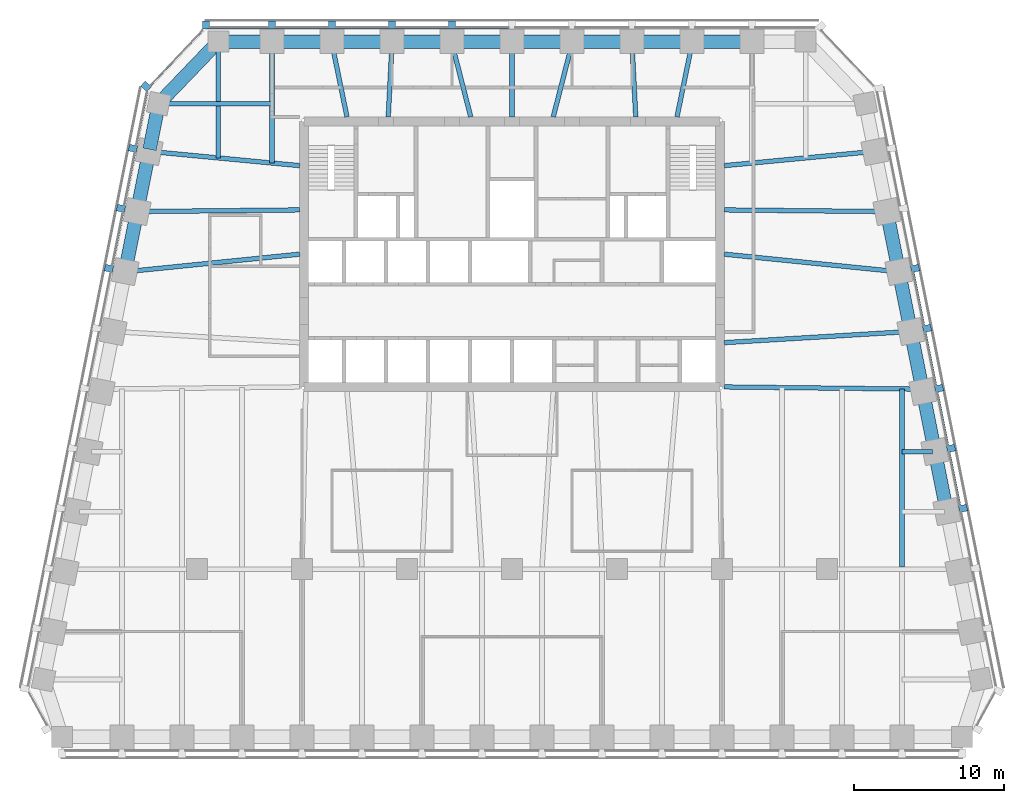
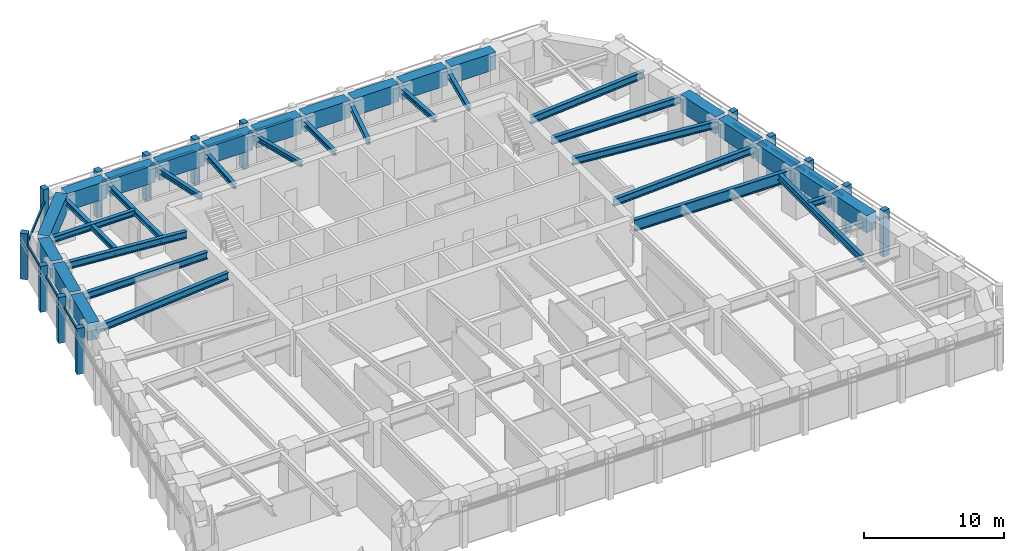
# One storey, part 3 of 10: 38 beams, 27 members, 4 elements without a shape of their own.
"""IFC4 building model written with IfcOpenShell, lengths in metres."""

from ifc_helpers import new_model, si_unit, direction, frame, origin, origin_2d, place, context, subcontext, project, spatial, rectangle, i_section, extrude, material, material_profile, profile_set, type_object, element, aggregate, save


model = new_model("IFC4")

# Units and contexts
model_context = context("Model", 3, precision=1e-05, world=origin(), true_north=direction((0.0, 1.0)))
body_context = subcontext(model_context, "Body", "Model", "MODEL_VIEW")
ifc_project = project(units=[si_unit("LENGTHUNIT", "METRE"), si_unit("AREAUNIT", "SQUARE_METRE"), si_unit("VOLUMEUNIT", "CUBIC_METRE"), si_unit("PLANEANGLEUNIT", "RADIAN"), si_unit("MASSUNIT", "GRAM", prefix="KILO")], contexts=[model_context])

# Site, building, storey
site_placement = place(None, origin())
site = spatial("IfcSite", under=ifc_project, at=site_placement, CompositionType="ELEMENT")
building_placement = place(site_placement, origin())
building = spatial("IfcBuilding", under=site, at=building_placement, Name="Isbrekke Arena Tower", CompositionType="ELEMENT")
storey_placement = place(building_placement, frame((0.0, 0.0, 238.0)))
storey = spatial("IfcBuildingStorey", under=building, at=storey_placement, Name="L55", CompositionType="ELEMENT", Elevation=238.0)

# Beams
ifc_material_1 = material(Name="Steel S355", Category="steel")
ifc_material_profile_1 = material_profile(ifc_material_1, i_section(OverallWidth=0.304931640625, OverallDepth=0.6201171875, WebThickness=0.02099609375, FlangeThickness=0.0400390625, FilletRadius=0.027099609375, at=origin_2d()), Name="HEM 600")
ifc_profile_set_1 = profile_set([ifc_material_profile_1], Name="Steel S355")
beam_type_1 = type_object("IfcBeamType", Name="B4 HEM 600", PredefinedType="BEAM", material=ifc_profile_set_1)
beam_1_placement = place(storey_placement, frame((26.0, -5.84912109375, 3.43994140625), z_axis=(0.0, 1.0, 0.0), x_axis=(-1.0, 0.0, 0.0)))
element("IfcBeam", 1, at=beam_1_placement, inside=storey, type_object=beam_type_1, Name="B4 beam C-M14 L55", PredefinedType="BEAM", context=body_context, shape_type="SweptSolid", body=[
    extrude(i_section(OverallWidth=0.304931640625, OverallDepth=0.6201171875, WebThickness=0.02099609375, FlangeThickness=0.0400390625, FilletRadius=0.027099609375, at=origin_2d()), origin(), (0.0, 0.0, 1.0), 11.864990234375),
])
beam_2_placement = place(storey_placement, frame((26.431884765625, 9.837646484375, 3.43994140625), z_axis=(-0.998201783607, -0.059943299904, 0.0), x_axis=(0.059943299904, -0.998201783607, 0.0)))
element("IfcBeam", 2, at=beam_2_placement, inside=storey, type_object=beam_type_1, Name="B4 beam E-E07 L55", PredefinedType="BEAM", context=body_context, shape_type="SweptSolid", body=[
    extrude(i_section(OverallWidth=0.304931640625, OverallDepth=0.6201171875, WebThickness=0.02099609375, FlangeThickness=0.0400390625, FilletRadius=0.027099609375, at=origin_2d()), origin(), (0.0, 0.0, 1.0), 12.30419921875),
])
beam_3_placement = place(storey_placement, frame((25.625732421875, 13.83984375, 3.43994140625), z_axis=(-0.994928676978, 0.100582939538, 0.0), x_axis=(-0.100582939538, -0.994928676978, 0.0)))
element("IfcBeam", 3, at=beam_3_placement, inside=storey, type_object=beam_type_1, Name="B4 beam E-E08 L55", PredefinedType="BEAM", context=body_context, shape_type="SweptSolid", body=[
    extrude(i_section(OverallWidth=0.304931640625, OverallDepth=0.6201171875, WebThickness=0.02099609375, FlangeThickness=0.0400390625, FilletRadius=0.027099609375, at=origin_2d()), origin(), (0.0, 0.0, 1.0), 11.534423828125),
])
beam_4_placement = place(storey_placement, frame((24.83935546875, 17.838134765625, 3.43994140625), z_axis=(-0.999945294064, 0.010459869922, 0.0), x_axis=(-0.010459869922, -0.999945294064, 0.0)))
element("IfcBeam", 4, at=beam_4_placement, inside=storey, type_object=beam_type_1, Name="B4 beam E-E09 L55", PredefinedType="BEAM", context=body_context, shape_type="SweptSolid", body=[
    extrude(i_section(OverallWidth=0.304931640625, OverallDepth=0.6201171875, WebThickness=0.02099609375, FlangeThickness=0.0400390625, FilletRadius=0.027099609375, at=origin_2d()), origin(), (0.0, 0.0, 1.0), 10.68994140625),
])
for number, where, z_axis, x_axis, name in (
    (5, (24.026611328125, 21.8369140625, 3.43994140625), (-0.995529913617, -0.094446763279, 0.0), (0.094446763279, -0.995529913617, 0.0), "B4 beam E-E10 L55"),
    (6, (-24.026611328125, 21.8369140625, 3.43994140625), (0.995529913617, -0.094446763279, 0.0), (0.094446763279, 0.995529913617, 0.0), "B4 beam E-W02 L55"),
):
    element("IfcBeam", number, at=place(storey_placement, frame(where, z_axis=z_axis, x_axis=x_axis)), inside=storey, type_object=beam_type_1, Name=name, PredefinedType="BEAM", context=body_context, shape_type="SweptSolid", body=[
        extrude(i_section(OverallWidth=0.304931640625, OverallDepth=0.6201171875, WebThickness=0.02099609375, FlangeThickness=0.0400390625, FilletRadius=0.027099609375, at=origin_2d()), origin(), (0.0, 0.0, 1.0), 9.921142578125),
    ])
beam_5_placement = place(storey_placement, frame((-24.83935546875, 17.838134765625, 3.43994140625), z_axis=(0.999945294064, 0.010459869922, 0.0), x_axis=(-0.010459869922, 0.999945294064, 0.0)))
element("IfcBeam", 7, at=beam_5_placement, inside=storey, type_object=beam_type_1, Name="B4 beam E-W03 L55", PredefinedType="BEAM", context=body_context, shape_type="SweptSolid", body=[
    extrude(i_section(OverallWidth=0.304931640625, OverallDepth=0.6201171875, WebThickness=0.02099609375, FlangeThickness=0.0400390625, FilletRadius=0.027099609375, at=origin_2d()), origin(), (0.0, 0.0, 1.0), 10.68994140625),
])
beam_6_placement = place(storey_placement, frame((-25.625732421875, 13.83984375, 3.43994140625), z_axis=(0.994928676978, 0.100582939538, 0.0), x_axis=(-0.100582939538, 0.994928676978, 0.0)))
element("IfcBeam", 8, at=beam_6_placement, inside=storey, type_object=beam_type_1, Name="B4 beam E-W04 L55", PredefinedType="BEAM", context=body_context, shape_type="SweptSolid", body=[
    extrude(i_section(OverallWidth=0.304931640625, OverallDepth=0.6201171875, WebThickness=0.02099609375, FlangeThickness=0.0400390625, FilletRadius=0.027099609375, at=origin_2d()), origin(), (0.0, 0.0, 1.0), 11.534423828125),
])
ifc_material_2 = material(Name="Steel S355", Category="steel")
ifc_material_profile_2 = material_profile(ifc_material_2, i_section(OverallWidth=0.305908203125, OverallDepth=0.52392578125, WebThickness=0.02099609375, FlangeThickness=0.0400390625, FilletRadius=0.027099609375, at=origin_2d()), Name="HEM 500")
ifc_profile_set_2 = profile_set([ifc_material_profile_2], Name="Steel S355")
beam_type_2 = type_object("IfcBeamType", Name="B5 HEM 500", PredefinedType="BEAM", material=ifc_profile_set_2)
beam_7_placement = place(storey_placement, frame((28.041015625, 1.838134765625, 3.488037109375), z_axis=(-1.0, 0.0, 0.0), x_axis=(0.0, -1.0, 0.0)))
element("IfcBeam", 9, at=beam_7_placement, inside=storey, type_object=beam_type_2, Name="B5 beam E-E05 L55", PredefinedType="BEAM", context=body_context, shape_type="SweptSolid", body=[
    extrude(i_section(OverallWidth=0.305908203125, OverallDepth=0.52392578125, WebThickness=0.02099609375, FlangeThickness=0.0400390625, FilletRadius=0.027099609375, at=origin_2d()), origin(), (0.0, 0.0, 1.0), 2.041015625),
])
beam_8_placement = place(storey_placement, frame((-23.40283203125, 25.029296875, 3.488037109375), z_axis=(1.0, 0.0, 0.0), x_axis=(0.0, 1.0, 0.0)))
element("IfcBeam", 10, at=beam_8_placement, inside=storey, type_object=beam_type_2, Name="B5 beam E-W01 L55", PredefinedType="BEAM", context=body_context, shape_type="SweptSolid", body=[
    extrude(i_section(OverallWidth=0.305908203125, OverallDepth=0.52392578125, WebThickness=0.02099609375, FlangeThickness=0.0400390625, FilletRadius=0.027099609375, at=origin_2d()), origin(), (0.0, 0.0, 1.0), 7.40283203125),
])
ifc_material_3 = material(Name="Steel S355", Category="steel")
ifc_material_profile_3 = material_profile(ifc_material_3, i_section(OverallWidth=0.306884765625, OverallDepth=0.431884765625, WebThickness=0.02099609375, FlangeThickness=0.0400390625, FilletRadius=0.027099609375, at=origin_2d()), Name="HEM 400")
ifc_profile_set_3 = profile_set([ifc_material_profile_3], Name="Steel S355")
beam_type_3 = type_object("IfcBeamType", Name="B6 HEM 400", PredefinedType="BEAM", material=ifc_profile_set_3)
beam_9_placement = place(storey_placement, frame((-16.0, 29.02490234375, 3.533935546875), z_axis=(0.0, -1.0, 0.0), x_axis=(1.0, 0.0, 0.0)))
element("IfcBeam", 11, at=beam_9_placement, inside=storey, type_object=beam_type_3, Name="B6 beam N-N10 L55", PredefinedType="BEAM", context=body_context, shape_type="SweptSolid", body=[
    extrude(i_section(OverallWidth=0.306884765625, OverallDepth=0.431884765625, WebThickness=0.02099609375, FlangeThickness=0.0400390625, FilletRadius=0.027099609375, at=origin_2d()), origin(), (0.0, 0.0, 1.0), 7.949462890625),
])
beam_10_placement = place(storey_placement, frame((-19.574951171875, 29.02490234375, 3.533935546875), z_axis=(0.0, -1.0, 0.0), x_axis=(1.0, 0.0, 0.0)))
element("IfcBeam", 12, at=beam_10_placement, inside=storey, type_object=beam_type_3, Name="B6 beam N-N11 L55", PredefinedType="BEAM", context=body_context, shape_type="SweptSolid", body=[
    extrude(i_section(OverallWidth=0.306884765625, OverallDepth=0.431884765625, WebThickness=0.02099609375, FlangeThickness=0.0400390625, FilletRadius=0.027099609375, at=origin_2d()), origin(), (0.0, 0.0, 1.0), 7.6103515625),
])
beam_11_placement = place(storey_placement, frame((11.993896484375, 28.994873046875, 3.533935546875), z_axis=(-0.200955075107, -0.979600458242, 0.0), x_axis=(0.979600458242, -0.200955075107, 0.0)))
element("IfcBeam", 13, at=beam_11_placement, inside=storey, type_object=beam_type_3, Name="B6 beam N-N03 L55", PredefinedType="BEAM", context=body_context, shape_type="SweptSolid", body=[
    extrude(i_section(OverallWidth=0.306884765625, OverallDepth=0.431884765625, WebThickness=0.02099609375, FlangeThickness=0.0400390625, FilletRadius=0.027099609375, at=origin_2d()), origin(), (0.0, 0.0, 1.0), 4.94580078125),
])
beam_12_placement = place(storey_placement, frame((8.00048828125, 29.01708984375, 3.533935546875), z_axis=(0.051196816408, -0.998688583088, 0.0), x_axis=(0.998688583088, 0.051196816408, 0.0)))
element("IfcBeam", 14, at=beam_12_placement, inside=storey, type_object=beam_type_3, Name="B6 beam N-N04 L55", PredefinedType="BEAM", context=body_context, shape_type="SweptSolid", body=[
    extrude(i_section(OverallWidth=0.306884765625, OverallDepth=0.431884765625, WebThickness=0.02099609375, FlangeThickness=0.0400390625, FilletRadius=0.027099609375, at=origin_2d()), origin(), (0.0, 0.0, 1.0), 4.87353515625),
])
beam_13_placement = place(storey_placement, frame((3.990478515625, 28.988037109375, 3.533935546875), z_axis=(-0.248362413919, -0.968667182964, 0.0), x_axis=(0.968667182964, -0.248362413919, 0.0)))
element("IfcBeam", 15, at=beam_13_placement, inside=storey, type_object=beam_type_3, Name="B6 beam N-N05 L55", PredefinedType="BEAM", context=body_context, shape_type="SweptSolid", body=[
    extrude(i_section(OverallWidth=0.306884765625, OverallDepth=0.431884765625, WebThickness=0.02099609375, FlangeThickness=0.0400390625, FilletRadius=0.027099609375, at=origin_2d()), origin(), (0.0, 0.0, 1.0), 4.99462890625),
])
beam_14_placement = place(storey_placement, frame((0.0, 29.02490234375, 3.533935546875), z_axis=(0.0, -1.0, 0.0), x_axis=(1.0, 0.0, 0.0)))
element("IfcBeam", 16, at=beam_14_placement, inside=storey, type_object=beam_type_3, Name="B6 beam N-N06 L55", PredefinedType="BEAM", context=body_context, shape_type="SweptSolid", body=[
    extrude(i_section(OverallWidth=0.306884765625, OverallDepth=0.431884765625, WebThickness=0.02099609375, FlangeThickness=0.0400390625, FilletRadius=0.027099609375, at=origin_2d()), origin(), (0.0, 0.0, 1.0), 4.875),
])
beam_15_placement = place(storey_placement, frame((-3.990478515625, 28.988037109375, 3.533935546875), z_axis=(0.248362413919, -0.968667182964, 0.0), x_axis=(0.968667182964, 0.248362413919, 0.0)))
element("IfcBeam", 17, at=beam_15_placement, inside=storey, type_object=beam_type_3, Name="B6 beam N-N07 L55", PredefinedType="BEAM", context=body_context, shape_type="SweptSolid", body=[
    extrude(i_section(OverallWidth=0.306884765625, OverallDepth=0.431884765625, WebThickness=0.02099609375, FlangeThickness=0.0400390625, FilletRadius=0.027099609375, at=origin_2d()), origin(), (0.0, 0.0, 1.0), 4.99462890625),
])
beam_16_placement = place(storey_placement, frame((-8.00048828125, 29.01708984375, 3.533935546875), z_axis=(-0.051196816408, -0.998688583088, 0.0), x_axis=(0.998688583088, -0.051196816408, 0.0)))
element("IfcBeam", 18, at=beam_16_placement, inside=storey, type_object=beam_type_3, Name="B6 beam N-N08 L55", PredefinedType="BEAM", context=body_context, shape_type="SweptSolid", body=[
    extrude(i_section(OverallWidth=0.306884765625, OverallDepth=0.431884765625, WebThickness=0.02099609375, FlangeThickness=0.0400390625, FilletRadius=0.027099609375, at=origin_2d()), origin(), (0.0, 0.0, 1.0), 4.87353515625),
])
beam_17_placement = place(storey_placement, frame((-11.993896484375, 28.994873046875, 3.533935546875), z_axis=(0.200955075107, -0.979600458242, 0.0), x_axis=(0.979600458242, 0.200955075107, 0.0)))
element("IfcBeam", 19, at=beam_17_placement, inside=storey, type_object=beam_type_3, Name="B6 beam N-N09 L55", PredefinedType="BEAM", context=body_context, shape_type="SweptSolid", body=[
    extrude(i_section(OverallWidth=0.306884765625, OverallDepth=0.431884765625, WebThickness=0.02099609375, FlangeThickness=0.0400390625, FilletRadius=0.027099609375, at=origin_2d()), origin(), (0.0, 0.0, 1.0), 4.94580078125),
])

# Curtain wall, members
ifc_material_4 = material(Name="Glazed aluminium curtain wall", Category="aluminium")
curtain_wall_type = type_object("IfcCurtainWallType", Name="CWH TOWER CURTAIN WALL HIGH ZONE", PredefinedType="USERDEFINED", material=ifc_material_4)
curtain_wall_1_placement = place(storey_placement, origin())
curtain_wall_1 = element("IfcCurtainWall", 20, at=curtain_wall_1_placement, inside=storey, type_object=curtain_wall_type, Name="CWH curtain wall L55-E", ObjectType="TOWER CURTAIN WALL HIGH ZONE", PredefinedType="USERDEFINED")
ifc_material_5 = material(Name="Aluminium mullion, pale brick slip cladding", Category="masonry")
ifc_material_profile_4 = material_profile(ifc_material_5, rectangle(XDim=0.449951171875, YDim=0.550048828125, at=origin_2d()), Name="PIER 450X550")
ifc_profile_set_4 = profile_set([ifc_material_profile_4], Name="Aluminium mullion, pale brick slip cladding")
member_type_1 = type_object("IfcMemberType", Name="CWH-M PIER MULLION 450 x 550", PredefinedType="MULLION", material=ifc_profile_set_4)
member_1_placement = place(storey_placement, frame((30.069580078125, -1.946044921875, 0.0), z_axis=(0.0, 0.0, 1.0), x_axis=(-0.196116135138, 0.980580675691, 0.0)))
member_1 = element("IfcMember", 21, at=member_1_placement, type_object=member_type_1, Name="CWH-M mullion 3", PredefinedType="MULLION", context=body_context, shape_type="SweptSolid", body=[
    extrude(rectangle(XDim=0.449951171875, YDim=0.550048828125, at=origin_2d()), origin(), (0.0, 0.0, 1.0), 4.0),
])
member_2_placement = place(storey_placement, frame((29.269775390625, 2.053955078125, 0.0), z_axis=(0.0, 0.0, 1.0), x_axis=(-0.196116135138, 0.980580675691, 0.0)))
member_2 = element("IfcMember", 22, at=member_2_placement, type_object=member_type_1, Name="CWH-M mullion 4", PredefinedType="MULLION", context=body_context, shape_type="SweptSolid", body=[
    extrude(rectangle(XDim=0.449951171875, YDim=0.550048828125, at=origin_2d()), origin(), (0.0, 0.0, 1.0), 4.0),
])
member_3_placement = place(storey_placement, frame((28.4697265625, 6.053955078125, 0.0), z_axis=(0.0, 0.0, 1.0), x_axis=(-0.196116135138, 0.980580675691, 0.0)))
member_3 = element("IfcMember", 23, at=member_3_placement, type_object=member_type_1, Name="CWH-M mullion 5", PredefinedType="MULLION", context=body_context, shape_type="SweptSolid", body=[
    extrude(rectangle(XDim=0.449951171875, YDim=0.550048828125, at=origin_2d()), origin(), (0.0, 0.0, 1.0), 4.0),
])
member_4_placement = place(storey_placement, frame((27.669677734375, 10.053955078125, 0.0), z_axis=(0.0, 0.0, 1.0), x_axis=(-0.196116135138, 0.980580675691, 0.0)))
member_4 = element("IfcMember", 24, at=member_4_placement, type_object=member_type_1, Name="CWH-M mullion 6", PredefinedType="MULLION", context=body_context, shape_type="SweptSolid", body=[
    extrude(rectangle(XDim=0.449951171875, YDim=0.550048828125, at=origin_2d()), origin(), (0.0, 0.0, 1.0), 4.0),
])
member_5_placement = place(storey_placement, frame((26.86962890625, 14.053955078125, 0.0), z_axis=(0.0, 0.0, 1.0), x_axis=(-0.196116135138, 0.980580675691, 0.0)))
member_5 = element("IfcMember", 25, at=member_5_placement, type_object=member_type_1, Name="CWH-M mullion 7", PredefinedType="MULLION", context=body_context, shape_type="SweptSolid", body=[
    extrude(rectangle(XDim=0.449951171875, YDim=0.550048828125, at=origin_2d()), origin(), (0.0, 0.0, 1.0), 4.0),
])

curtain_wall_2_placement = place(storey_placement, origin())
curtain_wall_2 = element("IfcCurtainWall", 26, at=curtain_wall_2_placement, inside=storey, type_object=curtain_wall_type, Name="CWH curtain wall L55-N", ObjectType="TOWER CURTAIN WALL HIGH ZONE", PredefinedType="USERDEFINED")
member_6_placement = place(storey_placement, frame((-4.0, 30.27490234375, 0.0), z_axis=(0.0, 0.0, 1.0), x_axis=(-1.0, 0.0, 0.0)))
member_6 = element("IfcMember", 27, at=member_6_placement, type_object=member_type_1, Name="CWH-M mullion 6", PredefinedType="MULLION", context=body_context, shape_type="SweptSolid", body=[
    extrude(rectangle(XDim=0.449951171875, YDim=0.550048828125, at=origin_2d()), origin(), (0.0, 0.0, 1.0), 4.0),
])
member_7_placement = place(storey_placement, frame((-8.0, 30.27490234375, 0.0), z_axis=(0.0, 0.0, 1.0), x_axis=(-1.0, 0.0, 0.0)))
member_7 = element("IfcMember", 28, at=member_7_placement, type_object=member_type_1, Name="CWH-M mullion 7", PredefinedType="MULLION", context=body_context, shape_type="SweptSolid", body=[
    extrude(rectangle(XDim=0.449951171875, YDim=0.550048828125, at=origin_2d()), origin(), (0.0, 0.0, 1.0), 4.0),
])
member_8_placement = place(storey_placement, frame((-12.0, 30.27490234375, 0.0), z_axis=(0.0, 0.0, 1.0), x_axis=(-1.0, 0.0, 0.0)))
member_8 = element("IfcMember", 29, at=member_8_placement, type_object=member_type_1, Name="CWH-M mullion 8", PredefinedType="MULLION", context=body_context, shape_type="SweptSolid", body=[
    extrude(rectangle(XDim=0.449951171875, YDim=0.550048828125, at=origin_2d()), origin(), (0.0, 0.0, 1.0), 4.0),
])
member_9_placement = place(storey_placement, frame((-16.0, 30.27490234375, 0.0), z_axis=(0.0, 0.0, 1.0), x_axis=(-1.0, 0.0, 0.0)))
member_9 = element("IfcMember", 30, at=member_9_placement, type_object=member_type_1, Name="CWH-M mullion 9", PredefinedType="MULLION", context=body_context, shape_type="SweptSolid", body=[
    extrude(rectangle(XDim=0.449951171875, YDim=0.550048828125, at=origin_2d()), origin(), (0.0, 0.0, 1.0), 4.0),
])
member_10_placement = place(storey_placement, frame((-20.39990234375, 30.27490234375, 0.0), z_axis=(0.0, 0.0, 1.0), x_axis=(-1.0, 0.0, 0.0)))
member_10 = element("IfcMember", 31, at=member_10_placement, type_object=member_type_1, Name="CWH-M mullion 10", PredefinedType="MULLION", context=body_context, shape_type="SweptSolid", body=[
    extrude(rectangle(XDim=0.449951171875, YDim=0.550048828125, at=origin_2d()), origin(), (0.0, 0.0, 1.0), 4.0),
])

# Curtain wall, member
curtain_wall_3_placement = place(storey_placement, origin())
curtain_wall_3 = element("IfcCurtainWall", 32, at=curtain_wall_3_placement, inside=storey, type_object=curtain_wall_type, Name="CWH curtain wall L55-NW", ObjectType="TOWER CURTAIN WALL HIGH ZONE", PredefinedType="USERDEFINED")
member_11_placement = place(storey_placement, frame((-24.3994140625, 26.189453125, 0.0), z_axis=(0.0, 0.0, 1.0), x_axis=(-0.68874946192, -0.72499943359, 0.0)))
member_11 = element("IfcMember", 33, at=member_11_placement, type_object=member_type_1, Name="CWH-M mullion 1", PredefinedType="MULLION", context=body_context, shape_type="SweptSolid", body=[
    extrude(rectangle(XDim=0.449951171875, YDim=0.550048828125, at=origin_2d()), origin(), (0.0, 0.0, 1.0), 4.0),
])

# Curtain wall, members
curtain_wall_4_placement = place(storey_placement, origin())
curtain_wall_4 = element("IfcCurtainWall", 34, at=curtain_wall_4_placement, inside=storey, type_object=curtain_wall_type, Name="CWH curtain wall L55-W", ObjectType="TOWER CURTAIN WALL HIGH ZONE", PredefinedType="USERDEFINED")
member_12_placement = place(storey_placement, frame((-25.269775390625, 22.053955078125, 0.0), z_axis=(0.0, 0.0, 1.0), x_axis=(-0.196116135138, -0.980580675691, 0.0)))
member_12 = element("IfcMember", 35, at=member_12_placement, type_object=member_type_1, Name="CWH-M mullion 1", PredefinedType="MULLION", context=body_context, shape_type="SweptSolid", body=[
    extrude(rectangle(XDim=0.449951171875, YDim=0.550048828125, at=origin_2d()), origin(), (0.0, 0.0, 1.0), 4.0),
])
member_13_placement = place(storey_placement, frame((-26.069580078125, 18.053955078125, 0.0), z_axis=(0.0, 0.0, 1.0), x_axis=(-0.196116135138, -0.980580675691, 0.0)))
member_13 = element("IfcMember", 36, at=member_13_placement, type_object=member_type_1, Name="CWH-M mullion 2", PredefinedType="MULLION", context=body_context, shape_type="SweptSolid", body=[
    extrude(rectangle(XDim=0.449951171875, YDim=0.550048828125, at=origin_2d()), origin(), (0.0, 0.0, 1.0), 4.0),
])
member_14_placement = place(storey_placement, frame((-26.86962890625, 14.053955078125, 0.0), z_axis=(0.0, 0.0, 1.0), x_axis=(-0.196116135138, -0.980580675691, 0.0)))
member_14 = element("IfcMember", 37, at=member_14_placement, type_object=member_type_1, Name="CWH-M mullion 3", PredefinedType="MULLION", context=body_context, shape_type="SweptSolid", body=[
    extrude(rectangle(XDim=0.449951171875, YDim=0.550048828125, at=origin_2d()), origin(), (0.0, 0.0, 1.0), 4.0),
])

# Member
ifc_material_6 = material(Name="Aluminium transom", Category="aluminium")
ifc_material_profile_5 = material_profile(ifc_material_6, rectangle(XDim=0.1201171875, YDim=0.199951171875, at=origin_2d()), Name="TRANSOM 120X200")
ifc_profile_set_5 = profile_set([ifc_material_profile_5], Name="Aluminium transom")
member_type_2 = type_object("IfcMemberType", Name="CWH-T TRANSOM 120 x 200", PredefinedType="USERDEFINED", material=ifc_profile_set_5)
member_15_placement = place(storey_placement, frame((29.85400390625, -1.759765625, 3.0), z_axis=(-0.196154943734, 0.980572913173, 0.0), x_axis=(-0.980572913173, -0.196154943734, 0.0)))
member_15 = element("IfcMember", 38, at=member_15_placement, type_object=member_type_2, Name="CWH-T transom 4", ObjectType="TRANSOM", PredefinedType="USERDEFINED", context=body_context, shape_type="SweptSolid", body=[
    extrude(rectangle(XDim=0.1201171875, YDim=0.199951171875, at=origin_2d()), origin(), (0.0, 0.0, 1.0), 3.62939453125),
])

member_16_placement = place(storey_placement, frame((29.053955078125, 2.240234375, 3.0), z_axis=(-0.196090262229, 0.980585849918, 0.0), x_axis=(-0.980585849918, -0.196090262229, 0.0)))
member_16 = element("IfcMember", 39, at=member_16_placement, type_object=member_type_2, Name="CWH-T transom 5", ObjectType="TRANSOM", PredefinedType="USERDEFINED", context=body_context, shape_type="SweptSolid", body=[
    extrude(rectangle(XDim=0.1201171875, YDim=0.199951171875, at=origin_2d()), origin(), (0.0, 0.0, 1.0), 3.62939453125),
])

member_17_placement = place(storey_placement, frame((28.25390625, 6.240234375, 3.0), z_axis=(-0.196090262229, 0.980585849918, 0.0), x_axis=(-0.980585849918, -0.196090262229, 0.0)))
member_17 = element("IfcMember", 40, at=member_17_placement, type_object=member_type_2, Name="CWH-T transom 6", ObjectType="TRANSOM", PredefinedType="USERDEFINED", context=body_context, shape_type="SweptSolid", body=[
    extrude(rectangle(XDim=0.1201171875, YDim=0.199951171875, at=origin_2d()), origin(), (0.0, 0.0, 1.0), 3.62939453125),
])

member_18_placement = place(storey_placement, frame((27.453857421875, 10.240234375, 3.0), z_axis=(-0.196090262229, 0.980585849918, 0.0), x_axis=(-0.980585849918, -0.196090262229, 0.0)))
member_18 = element("IfcMember", 41, at=member_18_placement, type_object=member_type_2, Name="CWH-T transom 7", ObjectType="TRANSOM", PredefinedType="USERDEFINED", context=body_context, shape_type="SweptSolid", body=[
    extrude(rectangle(XDim=0.1201171875, YDim=0.199951171875, at=origin_2d()), origin(), (0.0, 0.0, 1.0), 3.62939453125),
])

aggregate(curtain_wall_1, [member_1, member_2, member_3, member_4, member_5, member_15, member_16, member_17, member_18])

member_19_placement = place(storey_placement, frame((-0.22509765625, 30.10009765625, 3.0), z_axis=(-1.0, 0.0, 0.0), x_axis=(0.0, -1.0, 0.0)))
member_19 = element("IfcMember", 42, at=member_19_placement, type_object=member_type_2, Name="CWH-T transom 6", ObjectType="TRANSOM", PredefinedType="USERDEFINED", context=body_context, shape_type="SweptSolid", body=[
    extrude(rectangle(XDim=0.1201171875, YDim=0.199951171875, at=origin_2d()), origin(), (0.0, 0.0, 1.0), 3.5498046875),
])

member_20_placement = place(storey_placement, frame((-4.22509765625, 30.10009765625, 3.0), z_axis=(-1.0, 0.0, 0.0), x_axis=(0.0, -1.0, 0.0)))
member_20 = element("IfcMember", 43, at=member_20_placement, type_object=member_type_2, Name="CWH-T transom 7", ObjectType="TRANSOM", PredefinedType="USERDEFINED", context=body_context, shape_type="SweptSolid", body=[
    extrude(rectangle(XDim=0.1201171875, YDim=0.199951171875, at=origin_2d()), origin(), (0.0, 0.0, 1.0), 3.5498046875),
])

member_21_placement = place(storey_placement, frame((-8.22509765625, 30.10009765625, 3.0), z_axis=(-1.0, 0.0, 0.0), x_axis=(0.0, -1.0, 0.0)))
member_21 = element("IfcMember", 44, at=member_21_placement, type_object=member_type_2, Name="CWH-T transom 8", ObjectType="TRANSOM", PredefinedType="USERDEFINED", context=body_context, shape_type="SweptSolid", body=[
    extrude(rectangle(XDim=0.1201171875, YDim=0.199951171875, at=origin_2d()), origin(), (0.0, 0.0, 1.0), 3.5498046875),
])

member_22_placement = place(storey_placement, frame((-12.22509765625, 30.10009765625, 3.0), z_axis=(-1.0, 0.0, 0.0), x_axis=(0.0, -1.0, 0.0)))
member_22 = element("IfcMember", 45, at=member_22_placement, type_object=member_type_2, Name="CWH-T transom 9", ObjectType="TRANSOM", PredefinedType="USERDEFINED", context=body_context, shape_type="SweptSolid", body=[
    extrude(rectangle(XDim=0.1201171875, YDim=0.199951171875, at=origin_2d()), origin(), (0.0, 0.0, 1.0), 3.5498046875),
])

member_23_placement = place(storey_placement, frame((-16.22509765625, 30.10009765625, 3.0), z_axis=(-1.0, 0.0, 0.0), x_axis=(0.0, -1.0, 0.0)))
member_23 = element("IfcMember", 46, at=member_23_placement, type_object=member_type_2, Name="CWH-T transom 10", ObjectType="TRANSOM", PredefinedType="USERDEFINED", context=body_context, shape_type="SweptSolid", body=[
    extrude(rectangle(XDim=0.1201171875, YDim=0.199951171875, at=origin_2d()), origin(), (0.0, 0.0, 1.0), 3.949951171875),
])

aggregate(curtain_wall_2, [member_6, member_7, member_8, member_9, member_10, member_19, member_20, member_21, member_22, member_23])

member_24_placement = place(storey_placement, frame((-20.62744140625, 29.90576171875, 3.0), z_axis=(-0.688734266994, -0.725013868466, 0.0), x_axis=(0.725013868466, -0.688734266994, 0.0)))
member_24 = element("IfcMember", 47, at=member_24_placement, type_object=member_type_2, Name="CWH-T transom 1", ObjectType="TRANSOM", PredefinedType="USERDEFINED", context=body_context, shape_type="SweptSolid", body=[
    extrude(rectangle(XDim=0.1201171875, YDim=0.199951171875, at=origin_2d()), origin(), (0.0, 0.0, 1.0), 5.067138671875),
])

aggregate(curtain_wall_3, [member_11, member_24])

member_25_placement = place(storey_placement, frame((-24.34228515625, 25.799072265625, 3.0), z_axis=(-0.196090262229, -0.980585849918, 0.0), x_axis=(0.980585849918, -0.196090262229, 0.0)))
member_25 = element("IfcMember", 48, at=member_25_placement, type_object=member_type_2, Name="CWH-T transom 1", ObjectType="TRANSOM", PredefinedType="USERDEFINED", context=body_context, shape_type="SweptSolid", body=[
    extrude(rectangle(XDim=0.1201171875, YDim=0.199951171875, at=origin_2d()), origin(), (0.0, 0.0, 1.0), 3.62939453125),
])

member_26_placement = place(storey_placement, frame((-25.14208984375, 21.799072265625, 3.0), z_axis=(-0.196154943734, -0.980572913173, 0.0), x_axis=(0.980572913173, -0.196154943734, 0.0)))
member_26 = element("IfcMember", 49, at=member_26_placement, type_object=member_type_2, Name="CWH-T transom 2", ObjectType="TRANSOM", PredefinedType="USERDEFINED", context=body_context, shape_type="SweptSolid", body=[
    extrude(rectangle(XDim=0.1201171875, YDim=0.199951171875, at=origin_2d()), origin(), (0.0, 0.0, 1.0), 3.62939453125),
])

member_27_placement = place(storey_placement, frame((-25.942138671875, 17.799072265625, 3.0), z_axis=(-0.196154943734, -0.980572913173, 0.0), x_axis=(0.980572913173, -0.196154943734, 0.0)))
member_27 = element("IfcMember", 50, at=member_27_placement, type_object=member_type_2, Name="CWH-T transom 3", ObjectType="TRANSOM", PredefinedType="USERDEFINED", context=body_context, shape_type="SweptSolid", body=[
    extrude(rectangle(XDim=0.1201171875, YDim=0.199951171875, at=origin_2d()), origin(), (0.0, 0.0, 1.0), 3.62939453125),
])

aggregate(curtain_wall_4, [member_12, member_13, member_14, member_25, member_26, member_27])

# Beams
ifc_material_7 = material(Name="Steel S355", Category="steel")
ifc_material_profile_6 = material_profile(ifc_material_7, i_section(OverallWidth=0.302001953125, OverallDepth=1.008056640625, WebThickness=0.02099609375, FlangeThickness=0.0400390625, FilletRadius=0.030029296875, at=origin_2d()), Name="HEM 1000")
ifc_profile_set_6 = profile_set([ifc_material_profile_6], Name="Steel S355")
beam_type_4 = type_object("IfcBeamType", Name="G2 HEM 1000", PredefinedType="BEAM", material=ifc_profile_set_6)
beam_18_placement = place(storey_placement, frame((14.14990234375, 6.14990234375, 3.24609375), z_axis=(0.999935908299, -0.011321629528, 0.0), x_axis=(0.011321629528, 0.999935908299, 0.0)))
element("IfcBeam", 51, at=beam_18_placement, inside=storey, type_object=beam_type_4, Name="G2 beam G2-E L55", PredefinedType="BEAM", context=body_context, shape_type="SweptSolid", body=[
    extrude(i_section(OverallWidth=0.302001953125, OverallDepth=1.008056640625, WebThickness=0.02099609375, FlangeThickness=0.0400390625, FilletRadius=0.030029296875, at=origin_2d()), origin(), (0.0, 0.0, 1.0), 13.240234375),
])
ifc_material_8 = material(Name="Concrete B65 (C65/80)", Category="concrete")
ifc_material_profile_7 = material_profile(ifc_material_8, rectangle(XDim=0.89990234375, YDim=1.5, at=origin_2d()), Name="RC 900x1500")
ifc_profile_set_7 = profile_set([ifc_material_profile_7], Name="Concrete B65 (C65/80)")
beam_type_5 = type_object("IfcBeamType", Name="SB3 RC 900 x 1500", PredefinedType="SPANDREL", material=ifc_profile_set_7)
for number, where, z_axis, x_axis, name in (
    (52, (28.961669921875, -2.0146484375, 3.25), (-0.196128558387, 0.980578190959, 0.0), (-0.980578190959, -0.196128558387, 0.0), "SB3 spandrel E04-E05 L55"),
    (53, (28.16162109375, 1.9853515625, 3.25), (-0.196128558387, 0.980578190959, 0.0), (-0.980578190959, -0.196128558387, 0.0), "SB3 spandrel E05-E06 L55"),
    (54, (27.361572265625, 5.9853515625, 3.25), (-0.196128558387, 0.980578190959, 0.0), (-0.980578190959, -0.196128558387, 0.0), "SB3 spandrel E06-E07 L55"),
):
    element("IfcBeam", number, at=place(storey_placement, frame(where, z_axis=z_axis, x_axis=x_axis)), inside=storey, type_object=beam_type_5, Name=name, PredefinedType="SPANDREL", context=body_context, shape_type="SweptSolid", body=[
        extrude(rectangle(XDim=0.89990234375, YDim=1.5, at=origin_2d()), origin(), (0.0, 0.0, 1.0), 3.779296875),
    ])
beam_19_placement = place(storey_placement, frame((26.5615234375, 9.9853515625, 3.25), z_axis=(-0.1960664412, 0.980590613169, 0.0), x_axis=(-0.980590613169, -0.1960664412, 0.0)))
element("IfcBeam", 55, at=beam_19_placement, inside=storey, type_object=beam_type_5, Name="SB3 spandrel E07-E08 L55", PredefinedType="SPANDREL", context=body_context, shape_type="SweptSolid", body=[
    extrude(rectangle(XDim=0.89990234375, YDim=1.5, at=origin_2d()), origin(), (0.0, 0.0, 1.0), 3.779052734375),
])
beam_20_placement = place(storey_placement, frame((25.76171875, 13.9853515625, 3.25), z_axis=(-0.196128558387, 0.980578190959, 0.0), x_axis=(-0.980578190959, -0.196128558387, 0.0)))
element("IfcBeam", 56, at=beam_20_placement, inside=storey, type_object=beam_type_5, Name="SB3 spandrel E08-E09 L55", PredefinedType="SPANDREL", context=body_context, shape_type="SweptSolid", body=[
    extrude(rectangle(XDim=0.89990234375, YDim=1.5, at=origin_2d()), origin(), (0.0, 0.0, 1.0), 3.779296875),
])
for number, where, z_axis, x_axis, name in (
    (57, (15.85009765625, 29.175048828125, 3.25), (-1.0, 0.0, 0.0), (0.0, -1.0, 0.0), "SB3 spandrel N02-N03 L55"),
    (58, (11.85009765625, 29.175048828125, 3.25), (-1.0, 0.0, 0.0), (0.0, -1.0, 0.0), "SB3 spandrel N03-N04 L55"),
    (59, (7.85009765625, 29.175048828125, 3.25), (-1.0, 0.0, 0.0), (0.0, -1.0, 0.0), "SB3 spandrel N04-N05 L55"),
    (60, (3.85009765625, 29.175048828125, 3.25), (-1.0, 0.0, 0.0), (0.0, -1.0, 0.0), "SB3 spandrel N05-N06 L55"),
    (61, (-0.14990234375, 29.175048828125, 3.25), (-1.0, 0.0, 0.0), (0.0, -1.0, 0.0), "SB3 spandrel N06-N07 L55"),
    (62, (-4.14990234375, 29.175048828125, 3.25), (-1.0, 0.0, 0.0), (0.0, -1.0, 0.0), "SB3 spandrel N07-N08 L55"),
    (63, (-8.14990234375, 29.175048828125, 3.25), (-1.0, 0.0, 0.0), (0.0, -1.0, 0.0), "SB3 spandrel N08-N09 L55"),
    (64, (-12.14990234375, 29.175048828125, 3.25), (-1.0, 0.0, 0.0), (0.0, -1.0, 0.0), "SB3 spandrel N09-N10 L55"),
):
    element("IfcBeam", number, at=place(storey_placement, frame(where, z_axis=z_axis, x_axis=x_axis)), inside=storey, type_object=beam_type_5, Name=name, PredefinedType="SPANDREL", context=body_context, shape_type="SweptSolid", body=[
        extrude(rectangle(XDim=0.89990234375, YDim=1.5, at=origin_2d()), origin(), (0.0, 0.0, 1.0), 3.7001953125),
    ])
beam_21_placement = place(storey_placement, frame((-16.14990234375, 29.175048828125, 3.25), z_axis=(-1.0, 0.0, 0.0), x_axis=(0.0, -1.0, 0.0)))
element("IfcBeam", 65, at=beam_21_placement, inside=storey, type_object=beam_type_5, Name="SB3 spandrel N10-N11 L55", PredefinedType="SPANDREL", context=body_context, shape_type="SweptSolid", body=[
    extrude(rectangle(XDim=0.89990234375, YDim=1.5, at=origin_2d()), origin(), (0.0, 0.0, 1.0), 3.275146484375),
])
beam_22_placement = place(storey_placement, frame((-19.678955078125, 29.066650390625, 3.25), z_axis=(-0.692339547635, -0.721571861134, 0.0), x_axis=(0.721571861134, -0.692339547635, 0.0)))
element("IfcBeam", 66, at=beam_22_placement, inside=storey, type_object=beam_type_5, Name="SB3 spandrel N11-W01 L55", PredefinedType="SPANDREL", context=body_context, shape_type="SweptSolid", body=[
    extrude(rectangle(XDim=0.89990234375, YDim=1.5, at=origin_2d()), origin(), (0.0, 0.0, 1.0), 5.4453125),
])
beam_23_placement = place(storey_placement, frame((-23.582275390625, 24.882080078125, 3.25), z_axis=(-0.196116135138, -0.980580675691, 0.0), x_axis=(0.980580675691, -0.196116135138, 0.0)))
element("IfcBeam", 67, at=beam_23_placement, inside=storey, type_object=beam_type_5, Name="SB3 spandrel W01-W02 L55", PredefinedType="SPANDREL", context=body_context, shape_type="SweptSolid", body=[
    extrude(rectangle(XDim=0.89990234375, YDim=1.5, at=origin_2d()), origin(), (0.0, 0.0, 1.0), 2.9541015625),
])
for number, where, z_axis, x_axis, name in (
    (68, (-24.220458984375, 21.691162109375, 3.25), (-0.196128558387, -0.980578190959, 0.0), (0.980578190959, -0.196128558387, 0.0), "SB3 spandrel W02-W03 L55"),
    (69, (-25.0205078125, 17.691162109375, 3.25), (-0.196128558387, -0.980578190959, 0.0), (0.980578190959, -0.196128558387, 0.0), "SB3 spandrel W03-W04 L55"),
):
    element("IfcBeam", number, at=place(storey_placement, frame(where, z_axis=z_axis, x_axis=x_axis)), inside=storey, type_object=beam_type_5, Name=name, PredefinedType="SPANDREL", context=body_context, shape_type="SweptSolid", body=[
        extrude(rectangle(XDim=0.89990234375, YDim=1.5, at=origin_2d()), origin(), (0.0, 0.0, 1.0), 3.779296875),
    ])

save(model, "model.ifc")
